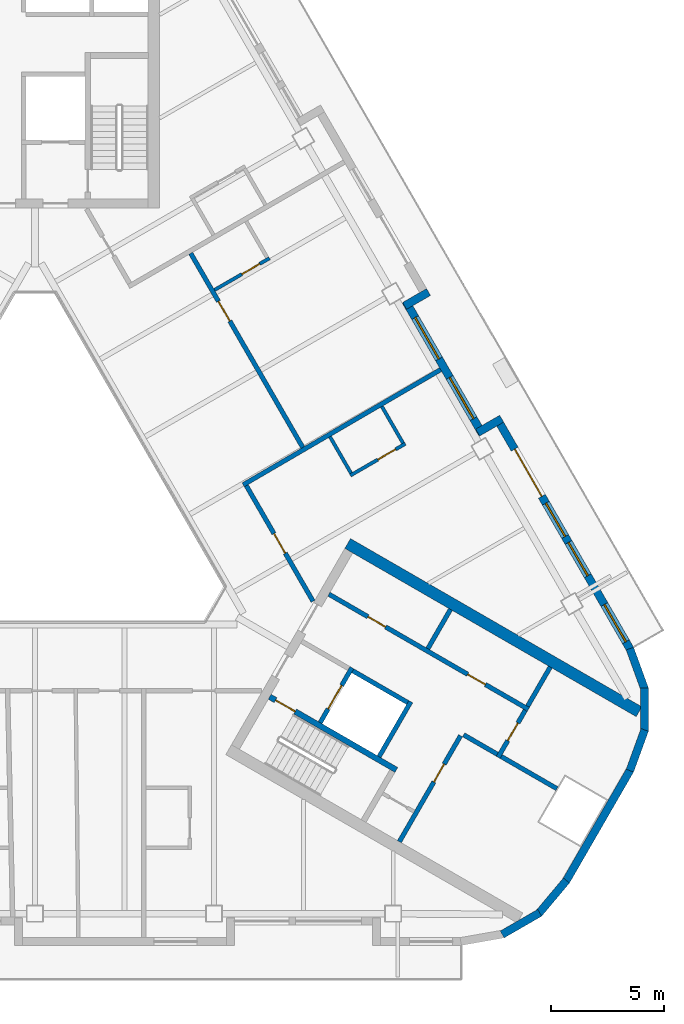
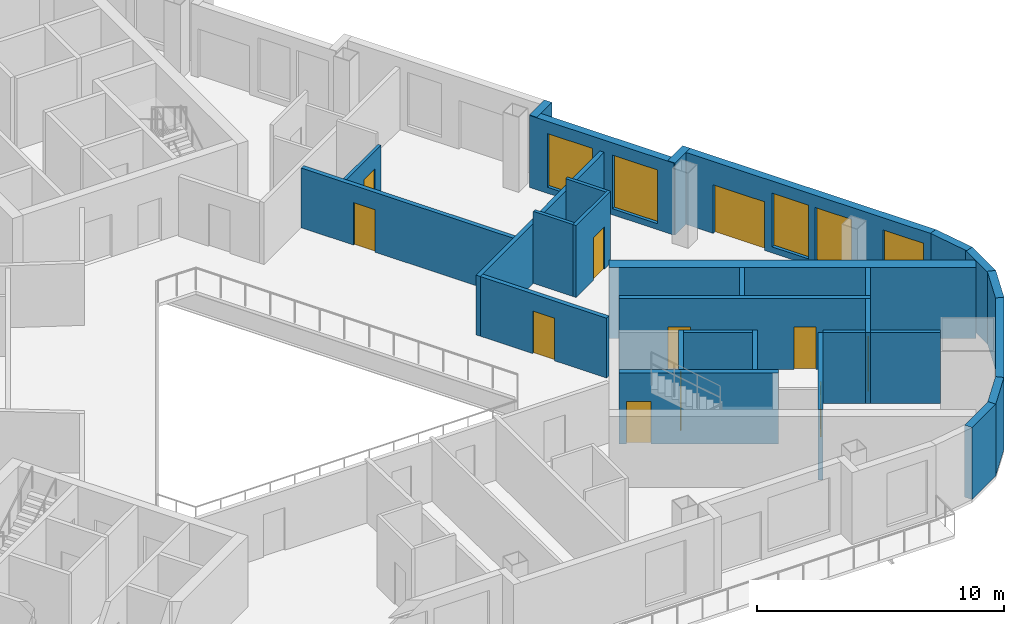
# One storey, part 5 of 13: 29 walls, 11 doors, 5 windows, 16 openings.
"""IFC4 building model written with IfcOpenShell, lengths in metres."""

from ifc_helpers import new_model, si_unit, direction, frame, frame_2d, origin, place, context, subcontext, project, spatial, rectangle, extrude, material, layer, layer_set, type_object, element, fill, save


model = new_model("IFC4")

# Units and contexts
model_context = context("Model", 3, precision=1e-05, world=origin(), true_north=direction((0.0, 1.0)))
body_context = subcontext(model_context, "Body", "Model", "MODEL_VIEW")
ifc_project = project(units=[si_unit("LENGTHUNIT", "METRE"), si_unit("AREAUNIT", "SQUARE_METRE"), si_unit("VOLUMEUNIT", "CUBIC_METRE"), si_unit("PLANEANGLEUNIT", "RADIAN"), si_unit("MASSUNIT", "GRAM", prefix="KILO")], contexts=[model_context])

# Site, building, storey
site_placement = place(None, origin())
site = spatial("IfcSite", under=ifc_project, at=site_placement, CompositionType="ELEMENT")
building_placement = place(site_placement, origin())
building = spatial("IfcBuilding", under=site, at=building_placement, Name="Apuvela Tower Hotel", CompositionType="ELEMENT")
storey_placement = place(building_placement, frame((0.0, 0.0, 198.39990234375)))
storey = spatial("IfcBuildingStorey", under=building, at=storey_placement, Name="L48", CompositionType="ELEMENT", Elevation=198.39990234375)

# Wall
ifc_material_1 = material(Name="Concrete C50/60", Category="concrete")
ifc_layer_1 = layer(ifc_material_1, 0.5)
ifc_layer_set_1 = layer_set([ifc_layer_1], Name="COR-WALL-CORE-500")
wall_type_1 = type_object("IfcWallType", Name="COR-WALL-CORE-500", PredefinedType="SHEAR", material=ifc_layer_set_1)
wall_1_placement = place(storey_placement, frame((13.796630859375, -1.9033203125, 0.0), z_axis=(0.0, 0.0, 1.0), x_axis=(0.866025009528, -0.500000682871, 0.0)))
element("IfcWall", 1, at=wall_1_placement, inside=storey, type_object=wall_type_1, Name="Core wall SE", PredefinedType="SHEAR", context=body_context, shape_type="SweptSolid", body=[
    extrude(rectangle(XDim=14.8369140625, YDim=0.5, at=frame_2d((7.41845703125, 0.0))), origin(), (0.0, 0.0, 1.0), 3.5),
])

# Wall, opening, door
ifc_material_2 = material(Name="Blockwork 200 mm plastered", Category="masonry")
ifc_layer_2 = layer(ifc_material_2, 0.199951171875)
ifc_layer_set_2 = layer_set([ifc_layer_2], Name="COR-WALL-PART-200")
wall_type_2 = type_object("IfcWallType", Name="COR-WALL-PART-200", PredefinedType="PARTITIONING", material=ifc_layer_set_2)
wall_2_placement = place(storey_placement, frame((16.076171875, -15.05517578125, 0.0), z_axis=(0.0, 0.0, 1.0), x_axis=(0.499995103361, 0.866028230842, 0.0)))
wall_2 = element("IfcWall", 2, at=wall_2_placement, inside=storey, type_object=wall_type_2, Name="Partition SE", PredefinedType="PARTITIONING", context=body_context, shape_type="SweptSolid", body=[
    extrude(rectangle(XDim=5.39990234375, YDim=0.199951171875, at=frame_2d((2.699951171875, 0.0))), origin(), (0.0, 0.0, 1.0), 3.5),
])
opening_1_placement = place(wall_2_placement, frame((3.050048828125, 0.0, 0.0)))
opening_1 = element("IfcOpeningElement", 3, at=opening_1_placement, cuts=wall_2, Name="Opening E-RS1", PredefinedType="OPENING", context=body_context, shape_type="SweptSolid", body=[
    extrude(rectangle(XDim=0.89990234375, YDim=2.10009765625, at=frame_2d((0.449951171875, 1.050048828125))), frame((0.0, 0.10986328125, 0.0), z_axis=(0.0, -1.0, 0.0), x_axis=(1.0, 0.0, 0.0)), (0.0, 0.0, 1.0), 0.219970703125),
])
ifc_material_3 = material(Name="Steel fire door, powder coated", Category="steel")
door_type_1 = type_object("IfcDoorType", Name="COR-DR-900", OperationType="NOTDEFINED", PredefinedType="DOOR", material=ifc_material_3)
door_1_placement = place(opening_1_placement, frame((0.89990234375, 0.0, 0.0), z_axis=(0.0, 0.0, 1.0), x_axis=(-1.0, 0.0, 0.0)))
door_1 = element("IfcDoor", 4, at=door_1_placement, inside=storey, type_object=door_type_1, Name="Store door E-RS1", OperationType="SINGLE_SWING_LEFT", OverallHeight=2.10009765625, OverallWidth=0.89990234375, PredefinedType="DOOR", context=body_context, shape_type="SweptSolid", body=[
    extrude(rectangle(XDim=0.89990234375, YDim=2.10009765625, at=frame_2d((0.449951171875, 1.050048828125))), frame((0.0, 0.02490234375, 0.0), z_axis=(0.0, -1.0, 0.0), x_axis=(1.0, 0.0, 0.0)), (0.0, 0.0, 1.0), 0.050048828125),
])
fill(opening_1, door_1)

# Wall
ifc_layer_3 = layer(ifc_material_1, 0.199951171875)
ifc_layer_set_3 = layer_set([ifc_layer_3], Name="COR-WALL-SHAFT-200")
wall_type_3 = type_object("IfcWallType", Name="COR-WALL-SHAFT-200", PredefinedType="SHEAR", material=ifc_layer_set_3)
wall_3_placement = place(storey_placement, frame((15.181396484375, -11.305419921875, 0.0), z_axis=(0.0, 0.0, 1.0), x_axis=(0.49994636267, 0.866056369097, 0.0)))
element("IfcWall", 5, at=wall_3_placement, inside=storey, type_object=wall_type_3, Name="Shaft wall SE", PredefinedType="SHEAR", context=body_context, shape_type="SweptSolid", body=[
    extrude(rectangle(XDim=2.800048828125, YDim=0.199951171875, at=frame_2d((1.39990234375, 0.0))), origin(), (0.0, 0.0, 1.0), 3.5),
])

# Wall, opening, door
wall_4_placement = place(storey_placement, frame((12.583251953125, -9.805419921875, 0.0), z_axis=(0.0, 0.0, 1.0), x_axis=(0.49994636267, 0.866056369097, 0.0)))
wall_4 = element("IfcWall", 6, at=wall_4_placement, inside=storey, type_object=wall_type_3, Name="Shaft wall SE", PredefinedType="SHEAR", context=body_context, shape_type="SweptSolid", body=[
    extrude(rectangle(XDim=2.800048828125, YDim=0.199951171875, at=frame_2d((1.39990234375, 0.0))), origin(), (0.0, 0.0, 1.0), 3.5),
])
opening_2_placement = place(wall_4_placement, frame((0.699951171875, 0.0, 0.0)))
opening_2 = element("IfcOpeningElement", 7, at=opening_2_placement, cuts=wall_4, Name="Opening E-LD-FS3", PredefinedType="OPENING", context=body_context, shape_type="SweptSolid", body=[
    extrude(rectangle(XDim=1.199951171875, YDim=2.10009765625, at=frame_2d((0.60009765625, 1.050048828125))), frame((0.0, 0.10986328125, 0.0), z_axis=(0.0, -1.0, 0.0), x_axis=(1.0, 0.0, 0.0)), (0.0, 0.0, 1.0), 0.219970703125),
])
ifc_material_4 = material(Name="Stainless steel lift landing door", Category="steel")
door_type_2 = type_object("IfcDoorType", Name="COR-LD-1200", OperationType="DOUBLE_DOOR_SLIDING", PredefinedType="DOOR", material=ifc_material_4)
door_2_placement = place(opening_2_placement, origin())
door_2 = element("IfcDoor", 8, at=door_2_placement, inside=storey, type_object=door_type_2, Name="Lift landing door E-LD-FS3", OperationType="DOUBLE_DOOR_SLIDING", OverallHeight=2.10009765625, OverallWidth=1.199951171875, PredefinedType="DOOR", context=body_context, shape_type="SweptSolid", body=[
    extrude(rectangle(XDim=1.199951171875, YDim=2.10009765625, at=frame_2d((0.60009765625, 1.050048828125))), frame((0.0, 0.02490234375, 0.0), z_axis=(0.0, -1.0, 0.0), x_axis=(1.0, 0.0, 0.0)), (0.0, 0.0, 1.0), 0.050048828125),
])
fill(opening_2, door_2)

# Wall
wall_5_placement = place(storey_placement, frame((14.019775390625, -7.51708984375, 0.0), z_axis=(0.0, 0.0, 1.0), x_axis=(0.866034573852, -0.49998411664, 0.0)))
element("IfcWall", 9, at=wall_5_placement, inside=storey, type_object=wall_type_3, Name="Shaft wall SE", PredefinedType="SHEAR", context=body_context, shape_type="SweptSolid", body=[
    extrude(rectangle(XDim=2.7998046875, YDim=0.199951171875, at=frame_2d((1.39990234375, 0.0))), origin(), (0.0, 0.0, 1.0), 3.5),
])

# Wall, openings, doors
wall_6_placement = place(storey_placement, frame((12.968017578125, -4.138427734375, 0.0), z_axis=(0.0, 0.0, 1.0), x_axis=(0.866028328073, -0.49999493495, 0.0)))
wall_6 = element("IfcWall", 10, at=wall_6_placement, inside=storey, type_object=wall_type_3, Name="Shaft wall SE", PredefinedType="SHEAR", context=body_context, shape_type="SweptSolid", body=[
    extrude(rectangle(XDim=10.16015625, YDim=0.199951171875, at=frame_2d((5.080078125, 0.0))), origin(), (0.0, 0.0, 1.0), 3.5),
])
opening_3_placement = place(wall_6_placement, frame((1.989990234375, 0.0, 0.0)))
opening_3 = element("IfcOpeningElement", 11, at=opening_3_placement, cuts=wall_6, Name="Opening E-RE1", PredefinedType="OPENING", context=body_context, shape_type="SweptSolid", body=[
    extrude(rectangle(XDim=0.89990234375, YDim=2.10009765625, at=frame_2d((0.449951171875, 1.050048828125))), frame((0.0, 0.10986328125, 0.0), z_axis=(0.0, -1.0, 0.0), x_axis=(1.0, 0.0, 0.0)), (0.0, 0.0, 1.0), 0.219970703125),
])
opening_4_placement = place(wall_6_placement, frame((7.070068359375, 0.0, 0.0)))
opening_4 = element("IfcOpeningElement", 12, at=opening_4_placement, cuts=wall_6, Name="Opening E-RE3", PredefinedType="OPENING", context=body_context, shape_type="SweptSolid", body=[
    extrude(rectangle(XDim=0.89990234375, YDim=2.10009765625, at=frame_2d((0.449951171875, 1.050048828125))), frame((0.0, 0.10986328125, 0.0), z_axis=(0.0, -1.0, 0.0), x_axis=(1.0, 0.0, 0.0)), (0.0, 0.0, 1.0), 0.219970703125),
])
door_3_placement = place(opening_3_placement, origin())
door_3 = element("IfcDoor", 13, at=door_3_placement, inside=storey, type_object=door_type_1, Name="Store door E-RE1", OperationType="SINGLE_SWING_LEFT", OverallHeight=2.10009765625, OverallWidth=0.89990234375, PredefinedType="DOOR", context=body_context, shape_type="SweptSolid", body=[
    extrude(rectangle(XDim=0.89990234375, YDim=2.10009765625, at=frame_2d((0.449951171875, 1.050048828125))), frame((0.0, 0.02490234375, 0.0), z_axis=(0.0, -1.0, 0.0), x_axis=(1.0, 0.0, 0.0)), (0.0, 0.0, 1.0), 0.050048828125),
])
fill(opening_3, door_3)
door_4_placement = place(opening_4_placement, origin())
door_4 = element("IfcDoor", 14, at=door_4_placement, inside=storey, type_object=door_type_1, Name="Store door E-RE3", OperationType="SINGLE_SWING_LEFT", OverallHeight=2.10009765625, OverallWidth=0.89990234375, PredefinedType="DOOR", context=body_context, shape_type="SweptSolid", body=[
    extrude(rectangle(XDim=0.89990234375, YDim=2.10009765625, at=frame_2d((0.449951171875, 1.050048828125))), frame((0.0, 0.02490234375, 0.0), z_axis=(0.0, -1.0, 0.0), x_axis=(1.0, 0.0, 0.0)), (0.0, 0.0, 1.0), 0.050048828125),
])
fill(opening_4, door_4)

# Wall, opening, door
wall_7_placement = place(storey_placement, frame((20.430419921875, -11.33349609375, 0.0), z_axis=(0.0, 0.0, 1.0), x_axis=(0.500001309137, 0.866024647952, 0.0)))
wall_7 = element("IfcWall", 15, at=wall_7_placement, inside=storey, type_object=wall_type_3, Name="Shaft wall SE", PredefinedType="SHEAR", context=body_context, shape_type="SweptSolid", body=[
    extrude(rectangle(XDim=2.39990234375, YDim=0.199951171875, at=frame_2d((1.199951171875, 0.0))), origin(), (0.0, 0.0, 1.0), 3.5),
])
opening_5_placement = place(wall_7_placement, frame((0.85009765625, 0.0, 0.0)))
opening_5 = element("IfcOpeningElement", 16, at=opening_5_placement, cuts=wall_7, Name="Opening E-REP", PredefinedType="OPENING", context=body_context, shape_type="SweptSolid", body=[
    extrude(rectangle(XDim=0.89990234375, YDim=2.10009765625, at=frame_2d((0.449951171875, 1.050048828125))), frame((0.0, 0.10986328125, 0.0), z_axis=(0.0, -1.0, 0.0), x_axis=(1.0, 0.0, 0.0)), (0.0, 0.0, 1.0), 0.219970703125),
])
door_5_placement = place(opening_5_placement, frame((0.89990234375, 0.0, 0.0), z_axis=(0.0, 0.0, 1.0), x_axis=(-1.0, 0.0, 0.0)))
door_5 = element("IfcDoor", 17, at=door_5_placement, inside=storey, type_object=door_type_1, Name="Store door E-REP", OperationType="SINGLE_SWING_RIGHT", OverallHeight=2.10009765625, OverallWidth=0.89990234375, PredefinedType="DOOR", context=body_context, shape_type="SweptSolid", body=[
    extrude(rectangle(XDim=0.89990234375, YDim=2.10009765625, at=frame_2d((0.449951171875, 1.050048828125))), frame((0.0, 0.02490234375, 0.0), z_axis=(0.0, -1.0, 0.0), x_axis=(1.0, 0.0, 0.0)), (0.0, 0.0, 1.0), 0.050048828125),
])
fill(opening_5, door_5)

# Walls
wall_8_placement = place(storey_placement, frame((18.912841796875, -10.342041015625, 0.0), z_axis=(0.0, 0.0, 1.0), x_axis=(0.866038183914, -0.499977863513, 0.0)))
element("IfcWall", 18, at=wall_8_placement, inside=storey, type_object=wall_type_3, Name="Shaft wall SE", PredefinedType="SHEAR", context=body_context, shape_type="SweptSolid", body=[
    extrude(rectangle(XDim=1.7099609375, YDim=0.199951171875, at=frame_2d((0.85498046875, 0.0))), origin(), (0.0, 0.0, 1.0), 3.5),
])
for number, where, z_axis, x_axis, name in (
    (19, (17.330810546875, -6.5419921875, 0.0), (0.0, 0.0, 1.0), (0.499972520799, 0.866041268327, 0.0), "Shaft wall SE"),
    (20, (21.73046875, -9.081787109375, 0.0), (0.0, 0.0, 1.0), (0.50002537861, 0.866010750942, 0.0), "Shaft wall SE"),
):
    element("IfcWall", number, at=place(storey_placement, frame(where, z_axis=z_axis, x_axis=x_axis)), inside=storey, type_object=wall_type_3, Name=name, PredefinedType="SHEAR", context=body_context, shape_type="SweptSolid", body=[
        extrude(rectangle(XDim=2.0, YDim=0.199951171875, at=frame_2d((1.0, 0.0))), origin(), (0.0, 0.0, 1.0), 3.5),
    ])
wall_9_placement = place(storey_placement, frame((20.56689453125, -11.297119140625, 0.0), z_axis=(0.0, 0.0, 1.0), x_axis=(0.866055327414, -0.49994816717, 0.0)))
element("IfcWall", 21, at=wall_9_placement, inside=storey, type_object=wall_type_3, Name="Shaft wall SE", PredefinedType="SHEAR", context=body_context, shape_type="SweptSolid", body=[
    extrude(rectangle(XDim=2.840087890625, YDim=0.199951171875, at=frame_2d((1.419921875, 0.0))), origin(), (0.0, 0.0, 1.0), 3.5),
])

# Wall, opening, door
ifc_layer_4 = layer(ifc_material_1, 0.25)
ifc_layer_set_4 = layer_set([ifc_layer_4], Name="COR-WALL-STAIR-250")
wall_type_4 = type_object("IfcWallType", Name="COR-WALL-STAIR-250", PredefinedType="SHEAR", material=ifc_layer_set_4)
wall_10_placement = place(storey_placement, frame((10.355712890625, -8.66357421875, 0.0), z_axis=(0.0, 0.0, 1.0), x_axis=(0.866028629588, -0.499994412703, 0.0)))
wall_10 = element("IfcWall", 22, at=wall_10_placement, inside=storey, type_object=wall_type_4, Name="Stair wall SE", PredefinedType="SHEAR", context=body_context, shape_type="SweptSolid", body=[
    extrude(rectangle(XDim=6.44970703125, YDim=0.25, at=frame_2d((3.224853515625, 0.0))), origin(), (0.0, 0.0, 1.0), 3.5),
])
opening_6_placement = place(wall_10_placement, frame((0.300048828125, 0.0, 0.0)))
opening_6 = element("IfcOpeningElement", 23, at=opening_6_placement, cuts=wall_10, Name="Opening E-SD", PredefinedType="OPENING", context=body_context, shape_type="SweptSolid", body=[
    extrude(rectangle(XDim=1.0, YDim=2.10009765625, at=frame_2d((0.5, 1.050048828125))), frame((0.0, 0.135009765625, 0.0), z_axis=(0.0, -1.0, 0.0), x_axis=(1.0, 0.0, 0.0)), (0.0, 0.0, 1.0), 0.27001953125),
])
door_type_3 = type_object("IfcDoorType", Name="COR-SD-1000", OperationType="NOTDEFINED", PredefinedType="DOOR", material=ifc_material_3)
door_6_placement = place(opening_6_placement, frame((1.0, 0.0, 0.0), z_axis=(0.0, 0.0, 1.0), x_axis=(-1.0, 0.0, 0.0)))
door_6 = element("IfcDoor", 24, at=door_6_placement, inside=storey, type_object=door_type_3, Name="Stair door E-SD", OperationType="SINGLE_SWING_LEFT", OverallHeight=2.10009765625, OverallWidth=1.0, PredefinedType="DOOR", context=body_context, shape_type="SweptSolid", body=[
    extrude(rectangle(XDim=1.0, YDim=2.10009765625, at=frame_2d((0.5, 1.050048828125))), frame((0.0, 0.02490234375, 0.0), z_axis=(0.0, -1.0, 0.0), x_axis=(1.0, 0.0, 0.0)), (0.0, 0.0, 1.0), 0.050048828125),
])
fill(opening_6, door_6)

# Walls
ifc_material_5 = material(Name="Concrete C40/50, dark pigmented precast panel", Category="concrete")
ifc_layer_5 = layer(ifc_material_5, 0.35009765625)
ifc_layer_set_5 = layer_set([ifc_layer_5], Name="ENV-WALL-350")
wall_type_5 = type_object("IfcWallType", Name="ENV-WALL-350", PredefinedType="SOLIDWALL", material=ifc_layer_set_5)
for number, where, z_axis, x_axis, name in (
    (25, (20.609619140625, -19.146728515625, 0.0), (0.0, 0.0, 1.0), (0.866000389056, 0.500043324278, 0.0), "External wall L48-27"),
    (26, (22.21728515625, -18.230712890625, 0.0), (0.0, 0.0, 1.0), (0.642733291068, 0.76609001857, 0.0), "External wall L48-28"),
):
    element("IfcWall", number, at=place(storey_placement, frame(where, z_axis=z_axis, x_axis=x_axis)), inside=storey, type_object=wall_type_5, Name=name, PredefinedType="SOLIDWALL", context=body_context, shape_type="SweptSolid", body=[
        extrude(rectangle(XDim=1.909912109375, YDim=0.35009765625, at=frame_2d((0.955078125, 0.0))), origin(), (0.0, 0.0, 1.0), 3.550048828125),
    ])
wall_11_placement = place(storey_placement, frame((23.427490234375, -16.79248046875, 0.0), z_axis=(0.0, 0.0, 1.0), x_axis=(0.500018773155, 0.866014564827, 0.0)))
element("IfcWall", 27, at=wall_11_placement, inside=storey, type_object=wall_type_5, Name="External wall L48-29", PredefinedType="SOLIDWALL", context=body_context, shape_type="SweptSolid", body=[
    extrude(rectangle(XDim=5.657958984375, YDim=0.35009765625, at=frame_2d((2.8291015625, 0.0))), origin(), (0.0, 0.0, 1.0), 3.550048828125),
])
for number, where, z_axis, x_axis, name in (
    (28, (26.24365234375, -11.920166015625, 0.0), (0.0, 0.0, 1.0), (0.342030395486, 0.939688889242, 0.0), "External wall L48-30"),
    (29, (26.88623046875, -10.18505859375, 0.0), (0.0, 0.0, 1.0), (0.0, 1.0, 0.0), "External wall L48-31"),
    (30, (26.89697265625, -8.334716796875, 0.0), (0.0, 0.0, 1.0), (-0.342030395486, 0.939688889242, 0.0), "External wall L48-32"),
):
    element("IfcWall", number, at=place(storey_placement, frame(where, z_axis=z_axis, x_axis=x_axis)), inside=storey, type_object=wall_type_5, Name=name, PredefinedType="SOLIDWALL", context=body_context, shape_type="SweptSolid", body=[
        extrude(rectangle(XDim=1.91015625, YDim=0.35009765625, at=frame_2d((0.955078125, 0.0))), origin(), (0.0, 0.0, 1.0), 3.550048828125),
    ])

# Wall, openings, door, windows
wall_12_placement = place(storey_placement, frame((26.256591796875, -6.5673828125, 0.0), z_axis=(0.0, 0.0, 1.0), x_axis=(-0.500023526245, 0.866011820475, 0.0)))
wall_12 = element("IfcWall", 31, at=wall_12_placement, inside=storey, type_object=wall_type_5, Name="External wall L48-33", PredefinedType="SOLIDWALL", context=body_context, shape_type="SweptSolid", body=[
    extrude(rectangle(XDim=11.81591796875, YDim=0.35009765625, at=frame_2d((5.907958984375, 0.0))), origin(), (0.0, 0.0, 1.0), 3.550048828125),
])
opening_7_placement = place(wall_12_placement, frame((0.380126953125, 0.0, 0.300048828125)))
opening_7 = element("IfcOpeningElement", 32, at=opening_7_placement, cuts=wall_12, Name="Opening WN19", PredefinedType="OPENING", context=body_context, shape_type="SweptSolid", body=[
    extrude(rectangle(XDim=1.89990234375, YDim=2.64990234375, at=frame_2d((0.949951171875, 1.324951171875))), frame((0.0, 0.18505859375, 0.0), z_axis=(0.0, -1.0, 0.0), x_axis=(1.0, 0.0, 0.0)), (0.0, 0.0, 1.0), 0.3701171875),
])
opening_8_placement = place(wall_12_placement, frame((7.791015625, 0.0, 0.0)))
opening_8 = element("IfcOpeningElement", 33, at=opening_8_placement, cuts=wall_12, Name="Opening BD24", PredefinedType="OPENING", context=body_context, shape_type="SweptSolid", body=[
    extrude(rectangle(XDim=2.39990234375, YDim=2.39990234375, at=frame_2d((1.199951171875, 1.199951171875))), frame((0.0, 0.18505859375, 0.0), z_axis=(0.0, -1.0, 0.0), x_axis=(1.0, 0.0, 0.0)), (0.0, 0.0, 1.0), 0.3701171875),
])
opening_9_placement = place(wall_12_placement, frame((3.74072265625, 0.0, 0.300048828125)))
opening_9 = element("IfcOpeningElement", 34, at=opening_9_placement, cuts=wall_12, Name="Opening WN17", PredefinedType="OPENING", context=body_context, shape_type="SweptSolid", body=[
    extrude(rectangle(XDim=1.699951171875, YDim=2.64990234375, at=frame_2d((0.85009765625, 1.324951171875))), frame((0.0, 0.18505859375, 0.0), z_axis=(0.0, -1.0, 0.0), x_axis=(1.0, 0.0, 0.0)), (0.0, 0.0, 1.0), 0.3701171875),
])
opening_10_placement = place(wall_12_placement, frame((5.74072265625, 0.0, 0.300048828125)))
opening_10 = element("IfcOpeningElement", 35, at=opening_10_placement, cuts=wall_12, Name="Opening WN17", PredefinedType="OPENING", context=body_context, shape_type="SweptSolid", body=[
    extrude(rectangle(XDim=1.699951171875, YDim=2.64990234375, at=frame_2d((0.85009765625, 1.324951171875))), frame((0.0, 0.18505859375, 0.0), z_axis=(0.0, -1.0, 0.0), x_axis=(1.0, 0.0, 0.0)), (0.0, 0.0, 1.0), 0.3701171875),
])
ifc_material_6 = material(Name="Aluminium 6063-T6, dark bronze anodised frame with dark tinted laminated glass", Category="aluminium")
door_type_4 = type_object("IfcDoorType", Name="ENV-DOOR-BALCONY-2400x2400", OperationType="SLIDING_TO_LEFT", PredefinedType="DOOR", material=ifc_material_6)
door_7_placement = place(opening_8_placement, frame((2.39990234375, 0.0, 0.0), z_axis=(0.0, 0.0, 1.0), x_axis=(-1.0, 0.0, 0.0)))
door_7 = element("IfcDoor", 36, at=door_7_placement, inside=storey, type_object=door_type_4, Name="Balcony door BD24", OperationType="SLIDING_TO_LEFT", OverallHeight=2.39990234375, OverallWidth=2.39990234375, PredefinedType="DOOR", context=body_context, shape_type="SweptSolid", body=[
    extrude(rectangle(XDim=2.39990234375, YDim=2.39990234375, at=frame_2d((1.199951171875, 1.199951171875))), frame((0.0, 0.02490234375, 0.0), z_axis=(0.0, -1.0, 0.0), x_axis=(1.0, 0.0, 0.0)), (0.0, 0.0, 1.0), 0.050048828125),
])
fill(opening_8, door_7)
ifc_material_7 = material(Name="Glass, dark tinted laminated insulated glazing unit", Category="glass")
window_type_1 = type_object("IfcWindowType", Name="ENV-WIN-1700x2650", PartitioningType="SINGLE_PANEL", PredefinedType="WINDOW", material=ifc_material_7)
window_1_placement = place(opening_9_placement, origin())
window_1 = element("IfcWindow", 37, at=window_1_placement, inside=storey, type_object=window_type_1, Name="Window WN17", OverallHeight=2.64990234375, OverallWidth=1.699951171875, PartitioningType="SINGLE_PANEL", PredefinedType="WINDOW", context=body_context, shape_type="SweptSolid", body=[
    extrude(rectangle(XDim=1.699951171875, YDim=2.64990234375, at=frame_2d((0.85009765625, 1.324951171875))), frame((0.0, 0.030029296875, 0.0), z_axis=(0.0, -1.0, 0.0), x_axis=(1.0, 0.0, 0.0)), (0.0, 0.0, 1.0), 0.06005859375),
])
fill(opening_9, window_1)
window_2_placement = place(opening_10_placement, origin())
window_2 = element("IfcWindow", 38, at=window_2_placement, inside=storey, type_object=window_type_1, Name="Window WN17", OverallHeight=2.64990234375, OverallWidth=1.699951171875, PartitioningType="SINGLE_PANEL", PredefinedType="WINDOW", context=body_context, shape_type="SweptSolid", body=[
    extrude(rectangle(XDim=1.699951171875, YDim=2.64990234375, at=frame_2d((0.85009765625, 1.324951171875))), frame((0.0, 0.030029296875, 0.0), z_axis=(0.0, -1.0, 0.0), x_axis=(1.0, 0.0, 0.0)), (0.0, 0.0, 1.0), 0.06005859375),
])
fill(opening_10, window_2)
window_type_2 = type_object("IfcWindowType", Name="ENV-WIN-1900x2650", PartitioningType="SINGLE_PANEL", PredefinedType="WINDOW", material=ifc_material_7)
window_3_placement = place(opening_7_placement, origin())
window_3 = element("IfcWindow", 39, at=window_3_placement, inside=storey, type_object=window_type_2, Name="Window WN19", OverallHeight=2.64990234375, OverallWidth=1.89990234375, PartitioningType="SINGLE_PANEL", PredefinedType="WINDOW", context=body_context, shape_type="SweptSolid", body=[
    extrude(rectangle(XDim=1.89990234375, YDim=2.64990234375, at=frame_2d((0.949951171875, 1.324951171875))), frame((0.0, 0.030029296875, 0.0), z_axis=(0.0, -1.0, 0.0), x_axis=(1.0, 0.0, 0.0)), (0.0, 0.0, 1.0), 0.06005859375),
])
fill(opening_7, window_3)

# Wall
wall_13_placement = place(storey_placement, frame((20.587646484375, 3.601318359375, 0.0), z_axis=(0.0, 0.0, 1.0), x_axis=(-0.866005645448, -0.500034220881, 0.0)))
element("IfcWall", 40, at=wall_13_placement, inside=storey, type_object=wall_type_5, Name="External wall L48-34", PredefinedType="SOLIDWALL", context=body_context, shape_type="SweptSolid", body=[
    extrude(rectangle(XDim=1.22021484375, YDim=0.35009765625, at=frame_2d((0.610107421875, 0.0))), origin(), (0.0, 0.0, 1.0), 3.550048828125),
])

# Wall, openings, windows
wall_14_placement = place(storey_placement, frame((19.72900390625, 2.93798828125, 0.0), z_axis=(0.0, 0.0, 1.0), x_axis=(-0.499976430342, 0.866039011305, 0.0)))
wall_14 = element("IfcWall", 41, at=wall_14_placement, inside=storey, type_object=wall_type_5, Name="External wall L48-35", PredefinedType="SOLIDWALL", context=body_context, shape_type="SweptSolid", body=[
    extrude(rectangle(XDim=6.739990234375, YDim=0.35009765625, at=frame_2d((3.3701171875, 0.0))), origin(), (0.0, 0.0, 1.0), 3.550048828125),
])
opening_11_placement = place(wall_14_placement, frame((0.77001953125, 0.0, 0.300048828125)))
opening_11 = element("IfcOpeningElement", 42, at=opening_11_placement, cuts=wall_14, Name="Opening WN21", PredefinedType="OPENING", context=body_context, shape_type="SweptSolid", body=[
    extrude(rectangle(XDim=2.10009765625, YDim=2.64990234375, at=frame_2d((1.050048828125, 1.324951171875))), frame((0.0, 0.18505859375, 0.0), z_axis=(0.0, -1.0, 0.0), x_axis=(1.0, 0.0, 0.0)), (0.0, 0.0, 1.0), 0.3701171875),
])
opening_12_placement = place(wall_14_placement, frame((3.815185546875, 0.0, 0.300048828125)))
opening_12 = element("IfcOpeningElement", 43, at=opening_12_placement, cuts=wall_14, Name="Opening WN21", PredefinedType="OPENING", context=body_context, shape_type="SweptSolid", body=[
    extrude(rectangle(XDim=2.10009765625, YDim=2.64990234375, at=frame_2d((1.050048828125, 1.324951171875))), frame((0.0, 0.18505859375, 0.0), z_axis=(0.0, -1.0, 0.0), x_axis=(1.0, 0.0, 0.0)), (0.0, 0.0, 1.0), 0.3701171875),
])
window_type_3 = type_object("IfcWindowType", Name="ENV-WIN-2100x2650", PartitioningType="SINGLE_PANEL", PredefinedType="WINDOW", material=ifc_material_7)
window_4_placement = place(opening_11_placement, origin())
window_4 = element("IfcWindow", 44, at=window_4_placement, inside=storey, type_object=window_type_3, Name="Window WN21", OverallHeight=2.64990234375, OverallWidth=2.10009765625, PartitioningType="SINGLE_PANEL", PredefinedType="WINDOW", context=body_context, shape_type="SweptSolid", body=[
    extrude(rectangle(XDim=2.10009765625, YDim=2.64990234375, at=frame_2d((1.050048828125, 1.324951171875))), frame((0.0, 0.030029296875, 0.0), z_axis=(0.0, -1.0, 0.0), x_axis=(1.0, 0.0, 0.0)), (0.0, 0.0, 1.0), 0.06005859375),
])
fill(opening_11, window_4)
window_5_placement = place(opening_12_placement, origin())
window_5 = element("IfcWindow", 45, at=window_5_placement, inside=storey, type_object=window_type_3, Name="Window WN21", OverallHeight=2.64990234375, OverallWidth=2.10009765625, PartitioningType="SINGLE_PANEL", PredefinedType="WINDOW", context=body_context, shape_type="SweptSolid", body=[
    extrude(rectangle(XDim=2.10009765625, YDim=2.64990234375, at=frame_2d((1.050048828125, 1.324951171875))), frame((0.0, 0.030029296875, 0.0), z_axis=(0.0, -1.0, 0.0), x_axis=(1.0, 0.0, 0.0)), (0.0, 0.0, 1.0), 0.06005859375),
])
fill(opening_12, window_5)

# Walls
wall_15_placement = place(storey_placement, frame((16.305908203125, 8.5771484375, 0.0), z_axis=(0.0, 0.0, 1.0), x_axis=(0.866092288191, 0.499884134912, 0.0)))
element("IfcWall", 46, at=wall_15_placement, inside=storey, type_object=wall_type_5, Name="External wall L48-36", PredefinedType="SOLIDWALL", context=body_context, shape_type="SweptSolid", body=[
    extrude(rectangle(XDim=1.219970703125, YDim=0.35009765625, at=frame_2d((0.60986328125, 0.0))), origin(), (0.0, 0.0, 1.0), 3.550048828125),
])
ifc_material_8 = material(Name="Gypsum board partition on twin steel stud", Category="steel")
ifc_layer_6 = layer(ifc_material_8, 0.199951171875)
ifc_layer_set_6 = layer_set([ifc_layer_6], Name="GST-PW1")
wall_type_6 = type_object("IfcWallType", Name="GST-PW1", PredefinedType="PARTITIONING", material=ifc_layer_set_6)
wall_16_placement = place(storey_placement, frame((17.894775390625, 5.765625, 0.0), z_axis=(0.0, 0.0, 1.0), x_axis=(-0.863697195261, -0.504011066246, 0.0)))
element("IfcWall", 47, at=wall_16_placement, inside=storey, type_object=wall_type_6, Name="L48 partition 03", PredefinedType="PARTITIONING", context=body_context, shape_type="SweptSolid", body=[
    extrude(rectangle(XDim=10.080322265625, YDim=0.199951171875, at=frame_2d((5.0400390625, 0.0))), origin(), (0.0, 0.0, 1.0), 2.9501953125),
])

# Wall, opening, door
ifc_material_9 = material(Name="Gypsum board corridor wall on twin steel stud, acoustic", Category="steel")
ifc_layer_7 = layer(ifc_material_9, 0.199951171875)
ifc_layer_set_7 = layer_set([ifc_layer_7], Name="GST-PW2")
wall_type_7 = type_object("IfcWallType", Name="GST-PW2", PredefinedType="PARTITIONING", material=ifc_layer_set_7)
wall_17_placement = place(storey_placement, frame((9.32470703125, 0.64892578125, 0.0), z_axis=(0.0, 0.0, 1.0), x_axis=(0.500032331163, -0.866006736574, 0.0)))
wall_17 = element("IfcWall", 48, at=wall_17_placement, inside=storey, type_object=wall_type_7, Name="L48 partition 18", PredefinedType="PARTITIONING", context=body_context, shape_type="SweptSolid", body=[
    extrude(rectangle(XDim=5.8876953125, YDim=0.199951171875, at=frame_2d((2.94384765625, 0.0))), origin(), (0.0, 0.0, 1.0), 2.9501953125),
])
opening_13_placement = place(wall_17_placement, frame((2.44384765625, 0.0, 0.0)))
opening_13 = element("IfcOpeningElement", 49, at=opening_13_placement, cuts=wall_17, Name="Opening GD18-08", PredefinedType="OPENING", context=body_context, shape_type="SweptSolid", body=[
    extrude(rectangle(XDim=1.0, YDim=2.10009765625, at=frame_2d((0.5, 1.050048828125))), frame((0.0, 0.10986328125, 0.0), z_axis=(0.0, -1.0, 0.0), x_axis=(1.0, 0.0, 0.0)), (0.0, 0.0, 1.0), 0.219970703125),
])
ifc_material_10 = material(Name="Timber door leaf in steel frame", Category="steel")
door_type_5 = type_object("IfcDoorType", Name="GST-D1", OperationType="NOTDEFINED", PredefinedType="DOOR", material=ifc_material_10)
door_8_placement = place(opening_13_placement, origin())
door_8 = element("IfcDoor", 50, at=door_8_placement, inside=storey, type_object=door_type_5, Name="Door L48-08", OperationType="SINGLE_SWING_LEFT", OverallHeight=2.10009765625, OverallWidth=1.0, PredefinedType="DOOR", context=body_context, shape_type="SweptSolid", body=[
    extrude(rectangle(XDim=1.0, YDim=2.10009765625, at=frame_2d((0.5, 1.050048828125))), frame((0.0, 0.02490234375, 0.0), z_axis=(0.0, -1.0, 0.0), x_axis=(1.0, 0.0, 0.0)), (0.0, 0.0, 1.0), 0.050048828125),
])
fill(opening_13, door_8)

wall_18_placement = place(storey_placement, frame((6.872802734375, 10.896240234375, 0.0), z_axis=(0.0, 0.0, 1.0), x_axis=(0.499987518031, -0.866032610133, 0.0)))
wall_18 = element("IfcWall", 51, at=wall_18_placement, inside=storey, type_object=wall_type_7, Name="L48 partition 22", PredefinedType="PARTITIONING", context=body_context, shape_type="SweptSolid", body=[
    extrude(rectangle(XDim=9.886474609375, YDim=0.199951171875, at=frame_2d((4.943359375, 0.0))), origin(), (0.0, 0.0, 1.0), 2.9501953125),
])
opening_14_placement = place(wall_18_placement, frame((2.449951171875, 0.0, 0.0)))
opening_14 = element("IfcOpeningElement", 52, at=opening_14_placement, cuts=wall_18, Name="Opening GD18-10", PredefinedType="OPENING", context=body_context, shape_type="SweptSolid", body=[
    extrude(rectangle(XDim=1.0, YDim=2.10009765625, at=frame_2d((0.5, 1.050048828125))), frame((0.0, 0.10986328125, 0.0), z_axis=(0.0, -1.0, 0.0), x_axis=(1.0, 0.0, 0.0)), (0.0, 0.0, 1.0), 0.219970703125),
])
door_9_placement = place(opening_14_placement, origin())
door_9 = element("IfcDoor", 53, at=door_9_placement, inside=storey, type_object=door_type_5, Name="Door L48-10", OperationType="SINGLE_SWING_RIGHT", OverallHeight=2.10009765625, OverallWidth=1.0, PredefinedType="DOOR", context=body_context, shape_type="SweptSolid", body=[
    extrude(rectangle(XDim=1.0, YDim=2.10009765625, at=frame_2d((0.5, 1.050048828125))), frame((0.0, 0.02490234375, 0.0), z_axis=(0.0, -1.0, 0.0), x_axis=(1.0, 0.0, 0.0)), (0.0, 0.0, 1.0), 0.050048828125),
])
fill(opening_14, door_9)

ifc_material_11 = material(Name="Moisture-resistant gypsum board wet wall on steel stud", Category="steel")
ifc_layer_8 = layer(ifc_material_11, 0.14990234375)
ifc_layer_set_8 = layer_set([ifc_layer_8], Name="GST-PW3")
wall_type_8 = type_object("IfcWallType", Name="GST-PW3", PredefinedType="PARTITIONING", material=ifc_layer_set_8)
wall_19_placement = place(storey_placement, frame((13.914794921875, 1.0986328125, 0.0), z_axis=(0.0, 0.0, 1.0), x_axis=(0.866018616679, 0.500011755427, 0.0)))
wall_19 = element("IfcWall", 54, at=wall_19_placement, inside=storey, type_object=wall_type_8, Name="L48 partition 19", PredefinedType="PARTITIONING", context=body_context, shape_type="SweptSolid", body=[
    extrude(rectangle(XDim=2.80029296875, YDim=0.14990234375, at=frame_2d((1.400146484375, 0.0))), origin(), (0.0, 0.0, 1.0), 3.550048828125),
])
opening_15_placement = place(wall_19_placement, frame((1.39990234375, 0.0, 0.0)))
opening_15 = element("IfcOpeningElement", 55, at=opening_15_placement, cuts=wall_19, Name="Opening GD18-07", PredefinedType="OPENING", context=body_context, shape_type="SweptSolid", body=[
    extrude(rectangle(XDim=0.89990234375, YDim=2.10009765625, at=frame_2d((0.449951171875, 1.050048828125))), frame((0.0, 0.0849609375, 0.0), z_axis=(0.0, -1.0, 0.0), x_axis=(1.0, 0.0, 0.0)), (0.0, 0.0, 1.0), 0.169921875),
])
door_type_6 = type_object("IfcDoorType", Name="GST-D2", OperationType="NOTDEFINED", PredefinedType="DOOR", material=ifc_material_10)
door_10_placement = place(opening_15_placement, origin())
door_10 = element("IfcDoor", 56, at=door_10_placement, inside=storey, type_object=door_type_6, Name="Door L48-07", OperationType="SINGLE_SWING_RIGHT", OverallHeight=2.10009765625, OverallWidth=0.89990234375, PredefinedType="DOOR", context=body_context, shape_type="SweptSolid", body=[
    extrude(rectangle(XDim=0.89990234375, YDim=2.10009765625, at=frame_2d((0.449951171875, 1.050048828125))), frame((0.0, 0.02490234375, 0.0), z_axis=(0.0, -1.0, 0.0), x_axis=(1.0, 0.0, 0.0)), (0.0, 0.0, 1.0), 0.050048828125),
])
fill(opening_15, door_10)

# Walls
wall_20_placement = place(storey_placement, frame((16.2373046875, 2.526123046875, 0.0), z_axis=(0.0, 0.0, 1.0), x_axis=(-0.500043919151, 0.866000045566, 0.0)))
element("IfcWall", 57, at=wall_20_placement, inside=storey, type_object=wall_type_8, Name="L48 partition 20", PredefinedType="PARTITIONING", context=body_context, shape_type="SweptSolid", body=[
    extrude(rectangle(XDim=1.862548828125, YDim=0.14990234375, at=frame_2d((0.93115234375, 0.0))), origin(), (0.0, 0.0, 1.0), 3.550048828125),
])
wall_21_placement = place(storey_placement, frame((13.9423828125, 1.201171875, 0.0), z_axis=(0.0, 0.0, 1.0), x_axis=(-0.500026996568, 0.866009816748, 0.0)))
element("IfcWall", 58, at=wall_21_placement, inside=storey, type_object=wall_type_8, Name="L48 partition 21", PredefinedType="PARTITIONING", context=body_context, shape_type="SweptSolid", body=[
    extrude(rectangle(XDim=1.8505859375, YDim=0.14990234375, at=frame_2d((0.92529296875, 0.0))), origin(), (0.0, 0.0, 1.0), 3.550048828125),
])

# Wall, opening, door
wall_22_placement = place(storey_placement, frame((7.921875, 9.279052734375, 0.0), z_axis=(0.0, 0.0, 1.0), x_axis=(0.865996816683, 0.500049511043, 0.0)))
wall_22 = element("IfcWall", 59, at=wall_22_placement, inside=storey, type_object=wall_type_8, Name="L48 partition 23", PredefinedType="PARTITIONING", context=body_context, shape_type="SweptSolid", body=[
    extrude(rectangle(XDim=2.800048828125, YDim=0.14990234375, at=frame_2d((1.39990234375, 0.0))), origin(), (0.0, 0.0, 1.0), 2.9501953125),
])
opening_16_placement = place(wall_22_placement, frame((1.39990234375, 0.0, 0.0)))
opening_16 = element("IfcOpeningElement", 60, at=opening_16_placement, cuts=wall_22, Name="Opening GD18-09", PredefinedType="OPENING", context=body_context, shape_type="SweptSolid", body=[
    extrude(rectangle(XDim=0.89990234375, YDim=2.10009765625, at=frame_2d((0.449951171875, 1.050048828125))), frame((0.0, 0.0849609375, 0.0), z_axis=(0.0, -1.0, 0.0), x_axis=(1.0, 0.0, 0.0)), (0.0, 0.0, 1.0), 0.169921875),
])
door_11_placement = place(opening_16_placement, origin())
door_11 = element("IfcDoor", 61, at=door_11_placement, inside=storey, type_object=door_type_6, Name="Door L48-09", OperationType="SINGLE_SWING_RIGHT", OverallHeight=2.10009765625, OverallWidth=0.89990234375, PredefinedType="DOOR", context=body_context, shape_type="SweptSolid", body=[
    extrude(rectangle(XDim=0.89990234375, YDim=2.10009765625, at=frame_2d((0.449951171875, 1.050048828125))), frame((0.0, 0.02490234375, 0.0), z_axis=(0.0, -1.0, 0.0), x_axis=(1.0, 0.0, 0.0)), (0.0, 0.0, 1.0), 0.050048828125),
])
fill(opening_16, door_11)

save(model, "model.ifc")
